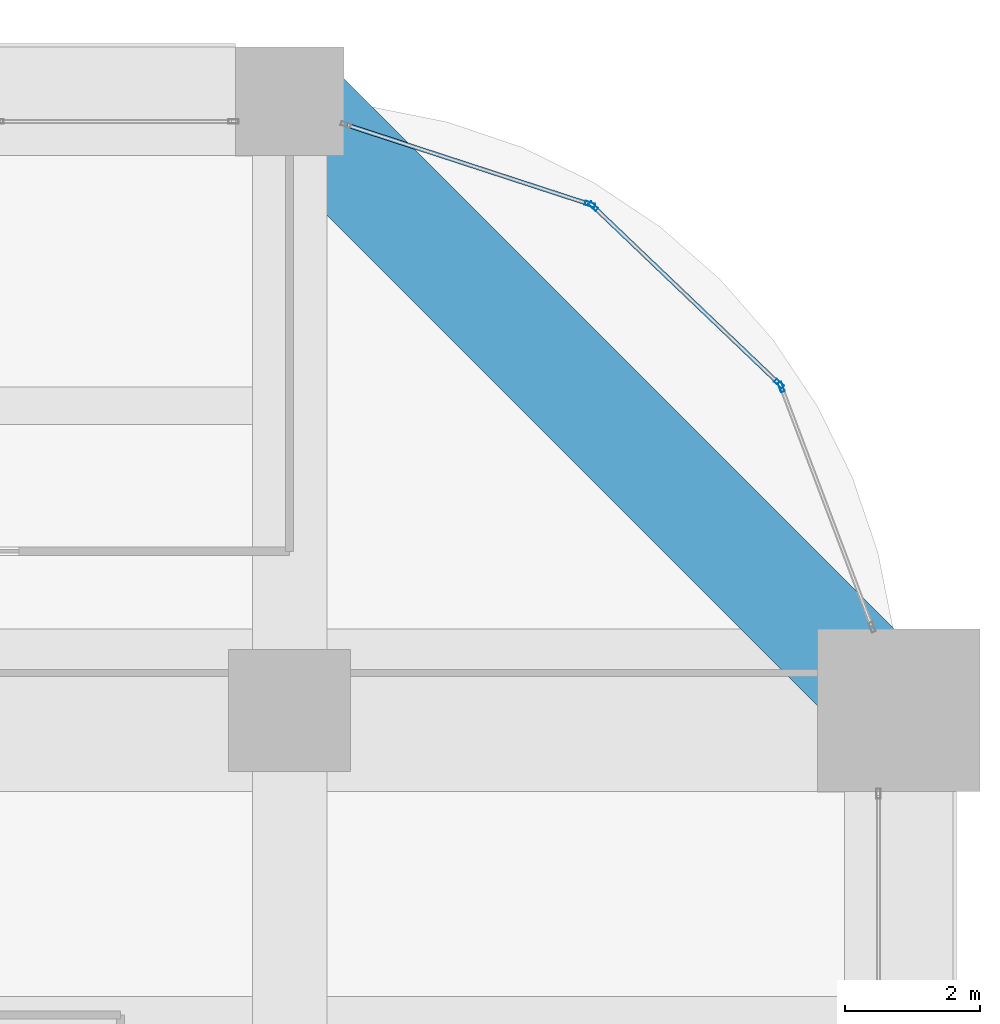
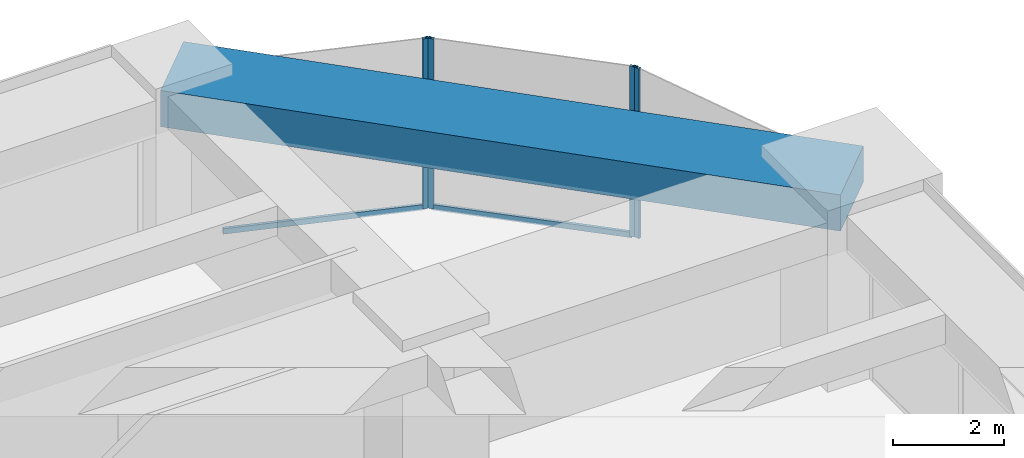
# One storey, part 36 of 42: 6 members, 1 beam, 3 elements without a shape of their own.
"""IFC4 building model written with IfcOpenShell, lengths in metres."""

from ifc_helpers import new_model, si_unit, direction, frame, origin, origin_2d, place, context, subcontext, project, spatial, rectangle, hollow_rectangle, extrude, material, material_profile, profile_set, type_object, element, aggregate, save


model = new_model("IFC4")

# Units and contexts
model_context = context("Model", 3, precision=1e-05, world=origin(), true_north=direction((0.0, 1.0)))
body_context = subcontext(model_context, "Body", "Model", "MODEL_VIEW")
ifc_project = project(units=[si_unit("LENGTHUNIT", "METRE"), si_unit("AREAUNIT", "SQUARE_METRE"), si_unit("VOLUMEUNIT", "CUBIC_METRE"), si_unit("PLANEANGLEUNIT", "RADIAN"), si_unit("MASSUNIT", "GRAM", prefix="KILO")], contexts=[model_context])

# Site, building, storey
site_placement = place(None, origin())
site = spatial("IfcSite", under=ifc_project, at=site_placement, CompositionType="ELEMENT")
building_placement = place(site_placement, origin())
building = spatial("IfcBuilding", under=site, at=building_placement, Name="Zorevar Civic Tower", CompositionType="ELEMENT")
storey_placement = place(building_placement, frame((0.0, 0.0, 149.0)))
storey = spatial("IfcBuildingStorey", under=building, at=storey_placement, Name="L36", CompositionType="ELEMENT", Elevation=149.0)

# Curtain wall, member
ifc_material_1 = material(Name="Dark grey solar-control glass in black aluminium frame", Category="aluminium")
curtain_wall_type = type_object("IfcCurtainWallType", Name="Curtain wall CW3 mid zone", PredefinedType="NOTDEFINED", material=ifc_material_1)
curtain_wall_1_placement = place(storey_placement, origin())
curtain_wall_1 = element("IfcCurtainWall", 1, at=curtain_wall_1_placement, inside=storey, type_object=curtain_wall_type, Name="CW3 L36", PredefinedType="NOTDEFINED")
ifc_material_2 = material(Name="Aluminium, black anodised", Category="aluminium")
ifc_material_profile_1 = material_profile(ifc_material_2, hollow_rectangle(XDim=0.06005859375, YDim=0.14990234375, WallThickness=0.00390625, at=origin_2d()), Name="AL 150x60x4")
ifc_profile_set_1 = profile_set([ifc_material_profile_1], Name="Aluminium, black anodised")
member_type_1 = type_object("IfcMemberType", Name="CW3 mullion AL 150x60x4", PredefinedType="MULLION", material=ifc_profile_set_1)
member_1_placement = place(storey_placement, frame((61.26318359375, 40.777099609375, 0.0), z_axis=(0.0, 0.0, 1.0), x_axis=(-0.935276561184, -0.353917722218, 0.0)))
member_1 = element("IfcMember", 2, at=member_1_placement, type_object=member_type_1, Name="CW3 mullion 2", PredefinedType="MULLION", context=body_context, shape_type="SweptSolid", body=[
    extrude(hollow_rectangle(XDim=0.06005859375, YDim=0.14990234375, WallThickness=0.00390625, at=origin_2d()), origin(), (0.0, 0.0, 1.0), 3.75),
])
aggregate(curtain_wall_1, [member_1])

# Curtain wall, members
curtain_wall_2_placement = place(storey_placement, origin())
curtain_wall_2 = element("IfcCurtainWall", 3, at=curtain_wall_2_placement, inside=storey, type_object=curtain_wall_type, Name="CW3 L36", PredefinedType="NOTDEFINED")
member_2_placement = place(storey_placement, frame((61.23095703125, 40.825927734375, 0.0), z_axis=(0.0, 0.0, 1.0), x_axis=(-0.690545329292, -0.723289117983, 0.0)))
member_2 = element("IfcMember", 4, at=member_2_placement, type_object=member_type_1, Name="CW3 mullion 1", PredefinedType="MULLION", context=body_context, shape_type="SweptSolid", body=[
    extrude(hollow_rectangle(XDim=0.06005859375, YDim=0.14990234375, WallThickness=0.00390625, at=origin_2d()), origin(), (0.0, 0.0, 1.0), 3.75),
])
member_3_placement = place(storey_placement, frame((58.486083984375, 43.4462890625, 0.0), z_axis=(0.0, 0.0, 1.0), x_axis=(-0.690545329292, -0.723289117983, 0.0)))
member_3 = element("IfcMember", 5, at=member_3_placement, type_object=member_type_1, Name="CW3 mullion 2", PredefinedType="MULLION", context=body_context, shape_type="SweptSolid", body=[
    extrude(hollow_rectangle(XDim=0.06005859375, YDim=0.14990234375, WallThickness=0.00390625, at=origin_2d()), origin(), (0.0, 0.0, 1.0), 3.75),
])

# Curtain wall, member
curtain_wall_3_placement = place(storey_placement, origin())
curtain_wall_3 = element("IfcCurtainWall", 6, at=curtain_wall_3_placement, inside=storey, type_object=curtain_wall_type, Name="CW3 L36", PredefinedType="NOTDEFINED")
member_4_placement = place(storey_placement, frame((58.43603515625, 43.476318359375, 0.0), z_axis=(0.0, 0.0, 1.0), x_axis=(-0.310263169163, -0.950650706548, 0.0)))
member_4 = element("IfcMember", 7, at=member_4_placement, type_object=member_type_1, Name="CW3 mullion 1", PredefinedType="MULLION", context=body_context, shape_type="SweptSolid", body=[
    extrude(hollow_rectangle(XDim=0.06005859375, YDim=0.14990234375, WallThickness=0.00390625, at=origin_2d()), origin(), (0.0, 0.0, 1.0), 3.75),
])

# Member
ifc_material_3 = material(Name="Aluminium, black anodised", Category="aluminium")
ifc_material_profile_2 = material_profile(ifc_material_3, hollow_rectangle(XDim=0.06005859375, YDim=0.1201171875, WallThickness=0.0029296875, at=origin_2d()), Name="AL 120x60x3")
ifc_profile_set_2 = profile_set([ifc_material_profile_2], Name="Aluminium, black anodised")
member_type_2 = type_object("IfcMemberType", Name="CW3 transom AL 120x60x3", PredefinedType="USERDEFINED", material=ifc_profile_set_2)
member_5_placement = place(storey_placement, frame((61.209228515625, 40.8466796875, 0.030029296875), z_axis=(-0.723324377588, 0.690508395884, 0.0), x_axis=(-0.690508395884, -0.723324377588, 0.0)))
member_5 = element("IfcMember", 8, at=member_5_placement, type_object=member_type_2, Name="CW3 sill transom", ObjectType="TRANSOM", PredefinedType="USERDEFINED", context=body_context, shape_type="SweptSolid", body=[
    extrude(hollow_rectangle(XDim=0.06005859375, YDim=0.1201171875, WallThickness=0.0029296875, at=origin_2d()), origin(), (0.0, 0.0, 1.0), 3.734619140625),
])

aggregate(curtain_wall_2, [member_2, member_3, member_5])

member_6_placement = place(storey_placement, frame((58.407470703125, 43.485595703125, 0.030029296875), z_axis=(-0.950638909659, 0.310299312669, 0.0), x_axis=(-0.310299312669, -0.950638909659, 0.0)))
member_6 = element("IfcMember", 9, at=member_6_placement, type_object=member_type_2, Name="CW3 sill transom", ObjectType="TRANSOM", PredefinedType="USERDEFINED", context=body_context, shape_type="SweptSolid", body=[
    extrude(hollow_rectangle(XDim=0.06005859375, YDim=0.1201171875, WallThickness=0.0029296875, at=origin_2d()), origin(), (0.0, 0.0, 1.0), 3.73486328125),
])

aggregate(curtain_wall_3, [member_4, member_6])

# Beam
ifc_material_4 = material(Name="Concrete C50/60", Category="concrete")
ifc_material_profile_3 = material_profile(ifc_material_4, rectangle(XDim=1.60009765625, YDim=0.800048828125, at=origin_2d()), Name="RC 1600x800")
ifc_profile_set_3 = profile_set([ifc_material_profile_3], Name="Concrete C50/60")
beam_type = type_object("IfcBeamType", Name="Edge beam RC 1600x800", PredefinedType="SPANDREL", material=ifc_profile_set_3)
beam_placement = place(storey_placement, frame((63.0, 36.0, 3.35009765625), z_axis=(-0.707106781187, 0.707106781187, 0.0), x_axis=(-0.707106781187, -0.707106781187, 0.0)))
element("IfcBeam", 10, at=beam_placement, inside=storey, type_object=beam_type, Name="Corner edge beam L37", PredefinedType="SPANDREL", context=body_context, shape_type="SweptSolid", body=[
    extrude(rectangle(XDim=1.60009765625, YDim=0.800048828125, at=origin_2d()), origin(), (0.0, 0.0, 1.0), 12.72802734375),
])

save(model, "model.ifc")
